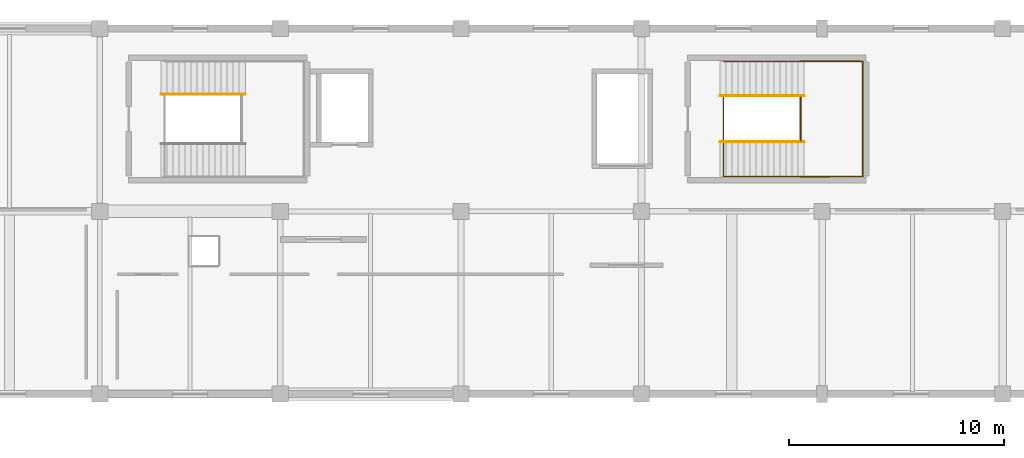
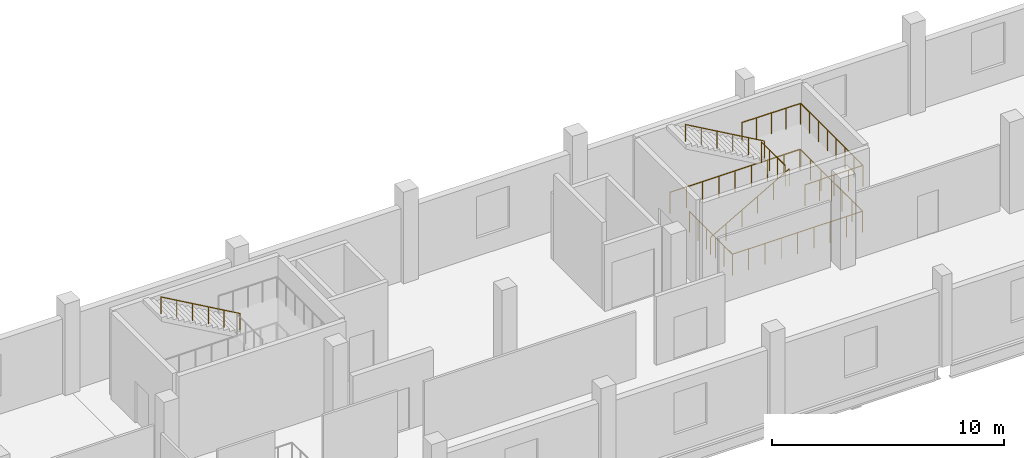
# One storey, part 77 of 77: 6 railings.
"""IFC4 building model written with IfcOpenShell, lengths in metres."""

from ifc_helpers import new_model, si_unit, direction, frame, origin, origin_2d, place, context, subcontext, project, spatial, circle, extrude, material, type_object, element, save


model = new_model("IFC4")

# Units and contexts
model_context = context("Model", 3, precision=1e-05, world=origin(), true_north=direction((0.0, 1.0)))
body_context = subcontext(model_context, "Body", "Model", "MODEL_VIEW")
ifc_project = project(units=[si_unit("LENGTHUNIT", "METRE"), si_unit("AREAUNIT", "SQUARE_METRE"), si_unit("VOLUMEUNIT", "CUBIC_METRE"), si_unit("PLANEANGLEUNIT", "RADIAN"), si_unit("MASSUNIT", "GRAM", prefix="KILO")], contexts=[model_context])

# Site, building, storey
site_placement = place(None, origin())
site = spatial("IfcSite", under=ifc_project, at=site_placement, CompositionType="ELEMENT")
building_placement = place(site_placement, origin())
building = spatial("IfcBuilding", under=site, at=building_placement, Name="Solvento Point Concert Hall", CompositionType="ELEMENT")
storey_placement = place(building_placement, frame((0.0, 0.0, 10.199951171875)))
storey = spatial("IfcBuildingStorey", under=building, at=storey_placement, Name="L02", CompositionType="ELEMENT", Elevation=10.199951171875)

# Railings
ifc_material_1 = material(Name="Brushed Stainless Steel Balustrade", Category="steel")
railing_type_1 = type_object("IfcRailingType", Name="StairHandrail_915", PredefinedType="HANDRAIL", material=ifc_material_1)
railing_1_placement = place(storey_placement, frame((173.570068359375, 132.949951171875, 2.56005859375)))
element("IfcRailing", 1, at=railing_1_placement, inside=storey, type_object=railing_type_1, Name="Stair handrail HR-01 ST-01 L02 F2", PredefinedType="HANDRAIL", context=body_context, shape_type="SweptSolid", body=[
    extrude(circle(Radius=0.0224609375, at=origin_2d()), frame((0.0, 0.0, 0.892578125), z_axis=(-0.86825312469, 0.0, 0.496121468458), x_axis=(0.0, -1.0, 0.0)), (0.0, 0.0, 1.0), 4.514892578125),
    extrude(circle(Radius=0.01904296875, at=origin_2d()), origin(), (0.0, 0.0, 1.0), 0.8701171875),
    extrude(circle(Radius=0.01904296875, at=origin_2d()), frame((-0.783935546875, 0.0, 0.447998046875)), (0.0, 0.0, 1.0), 0.8701171875),
    extrude(circle(Radius=0.01904296875, at=origin_2d()), frame((-1.568115234375, 0.0, 0.89599609375)), (0.0, 0.0, 1.0), 0.8701171875),
    extrude(circle(Radius=0.01904296875, at=origin_2d()), frame((-2.35205078125, 0.0, 1.343994140625)), (0.0, 0.0, 1.0), 0.8701171875),
    extrude(circle(Radius=0.01904296875, at=origin_2d()), frame((-3.13623046875, 0.0, 1.7919921875)), (0.0, 0.0, 1.0), 0.8701171875),
    extrude(circle(Radius=0.01904296875, at=origin_2d()), frame((-3.920166015625, 0.0, 2.239990234375)), (0.0, 0.0, 1.0), 0.8701171875),
])
railing_2_placement = place(storey_placement, frame((195.64990234375, 130.72998046875, 0.16015625)))
element("IfcRailing", 2, at=railing_2_placement, inside=storey, type_object=railing_type_1, Name="Stair handrail HR-01 ST-02 L02 F1", PredefinedType="HANDRAIL", context=body_context, shape_type="SweptSolid", body=[
    extrude(circle(Radius=0.0224609375, at=origin_2d()), frame((0.0, 0.0, 0.892578125), z_axis=(0.86825312469, 0.0, 0.496121468458), x_axis=(0.0, 1.0, 0.0)), (0.0, 0.0, 1.0), 4.514892578125),
    extrude(circle(Radius=0.01904296875, at=origin_2d()), origin(), (0.0, 0.0, 1.0), 0.8701171875),
    extrude(circle(Radius=0.01904296875, at=origin_2d()), frame((0.783935546875, 0.0, 0.447998046875)), (0.0, 0.0, 1.0), 0.8701171875),
    extrude(circle(Radius=0.01904296875, at=origin_2d()), frame((1.568115234375, 0.0, 0.89599609375)), (0.0, 0.0, 1.0), 0.8701171875),
    extrude(circle(Radius=0.01904296875, at=origin_2d()), frame((2.35205078125, 0.0, 1.343994140625)), (0.0, 0.0, 1.0), 0.8701171875),
    extrude(circle(Radius=0.01904296875, at=origin_2d()), frame((3.13623046875, 0.0, 1.7919921875)), (0.0, 0.0, 1.0), 0.8701171875),
    extrude(circle(Radius=0.01904296875, at=origin_2d()), frame((3.920166015625, 0.0, 2.239990234375)), (0.0, 0.0, 1.0), 0.8701171875),
])
railing_3_placement = place(storey_placement, frame((199.570068359375, 132.8701171875, 2.56005859375)))
element("IfcRailing", 3, at=railing_3_placement, inside=storey, type_object=railing_type_1, Name="Stair handrail HR-01 ST-02 L02 F2", PredefinedType="HANDRAIL", context=body_context, shape_type="SweptSolid", body=[
    extrude(circle(Radius=0.0224609375, at=origin_2d()), frame((0.0, 0.0, 0.892578125), z_axis=(-0.86825312469, 0.0, 0.496121468458), x_axis=(0.0, -1.0, 0.0)), (0.0, 0.0, 1.0), 4.514892578125),
    extrude(circle(Radius=0.01904296875, at=origin_2d()), origin(), (0.0, 0.0, 1.0), 0.8701171875),
    extrude(circle(Radius=0.01904296875, at=origin_2d()), frame((-0.783935546875, 0.0, 0.447998046875)), (0.0, 0.0, 1.0), 0.8701171875),
    extrude(circle(Radius=0.01904296875, at=origin_2d()), frame((-1.568115234375, 0.0, 0.89599609375)), (0.0, 0.0, 1.0), 0.8701171875),
    extrude(circle(Radius=0.01904296875, at=origin_2d()), frame((-2.35205078125, 0.0, 1.343994140625)), (0.0, 0.0, 1.0), 0.8701171875),
    extrude(circle(Radius=0.01904296875, at=origin_2d()), frame((-3.13623046875, 0.0, 1.7919921875)), (0.0, 0.0, 1.0), 0.8701171875),
    extrude(circle(Radius=0.01904296875, at=origin_2d()), frame((-3.920166015625, 0.0, 2.239990234375)), (0.0, 0.0, 1.0), 0.8701171875),
])
ifc_material_2 = material(Name="Brushed Stainless Steel Balustrade", Category="steel")
railing_type_2 = type_object("IfcRailingType", Name="StairWellGuard_1100", PredefinedType="BALUSTRADE", material=ifc_material_2)
railing_4_placement = place(storey_placement, frame((195.820068359375, 132.820068359375, 0.0)))
element("IfcRailing", 4, at=railing_4_placement, inside=storey, type_object=railing_type_2, Name="Stairwell guard GR-02 ST-02 L02", PredefinedType="BALUSTRADE", context=body_context, shape_type="SweptSolid", body=[
    extrude(circle(Radius=0.02392578125, at=origin_2d()), frame((0.0, 0.0, 1.09619140625), z_axis=(0.0, -1.0, 0.0), x_axis=(1.0, 0.0, 0.0)), (0.0, 0.0, 1.0), 3.699951171875),
    extrude(circle(Radius=0.02392578125, at=origin_2d()), frame((0.0, -3.699951171875, 1.09619140625), z_axis=(1.0, 0.0, 0.0), x_axis=(0.0, 1.0, 0.0)), (0.0, 0.0, 1.0), 6.4599609375),
    extrude(circle(Radius=0.02392578125, at=origin_2d()), frame((6.4599609375, -3.699951171875, 1.09619140625), z_axis=(0.0, 1.0, 0.0), x_axis=(-1.0, 0.0, 0.0)), (0.0, 0.0, 1.0), 5.35986328125),
    extrude(circle(Radius=0.02392578125, at=origin_2d()), frame((6.4599609375, 1.659912109375, 1.09619140625), z_axis=(-1.0, 0.0, 0.0), x_axis=(0.0, -1.0, 0.0)), (0.0, 0.0, 1.0), 6.4599609375),
    extrude(circle(Radius=0.02392578125, at=origin_2d()), frame((0.0, 1.659912109375, 1.09619140625), z_axis=(0.0, 1.0, 0.0), x_axis=(-1.0, 0.0, 0.0)), (0.0, 0.0, 1.0), 0.02001953125),
    extrude(circle(Radius=0.02099609375, at=origin_2d()), origin(), (0.0, 0.0, 1.0), 1.072021484375),
    extrude(circle(Radius=0.02099609375, at=origin_2d()), frame((0.0, -0.739990234375, 0.0)), (0.0, 0.0, 1.0), 1.072021484375),
    extrude(circle(Radius=0.02099609375, at=origin_2d()), frame((0.0, -1.47998046875, 0.0)), (0.0, 0.0, 1.0), 1.072021484375),
    extrude(circle(Radius=0.02099609375, at=origin_2d()), frame((0.0, -2.219970703125, 0.0)), (0.0, 0.0, 1.0), 1.072021484375),
    extrude(circle(Radius=0.02099609375, at=origin_2d()), frame((0.0, -2.9599609375, 0.0)), (0.0, 0.0, 1.0), 1.072021484375),
    extrude(circle(Radius=0.02099609375, at=origin_2d()), frame((0.0, -3.699951171875, 0.0)), (0.0, 0.0, 1.0), 1.072021484375),
    extrude(circle(Radius=0.02099609375, at=origin_2d()), frame((0.8076171875, -3.699951171875, 0.0)), (0.0, 0.0, 1.0), 1.072021484375),
    extrude(circle(Radius=0.02099609375, at=origin_2d()), frame((1.614990234375, -3.699951171875, 0.0)), (0.0, 0.0, 1.0), 1.072021484375),
    extrude(circle(Radius=0.02099609375, at=origin_2d()), frame((2.42236328125, -3.699951171875, 0.0)), (0.0, 0.0, 1.0), 1.072021484375),
    extrude(circle(Radius=0.02099609375, at=origin_2d()), frame((3.22998046875, -3.699951171875, 0.0)), (0.0, 0.0, 1.0), 1.072021484375),
    extrude(circle(Radius=0.02099609375, at=origin_2d()), frame((4.03759765625, -3.699951171875, 0.0)), (0.0, 0.0, 1.0), 1.072021484375),
    extrude(circle(Radius=0.02099609375, at=origin_2d()), frame((4.844970703125, -3.699951171875, 0.0)), (0.0, 0.0, 1.0), 1.072021484375),
    extrude(circle(Radius=0.02099609375, at=origin_2d()), frame((5.65234375, -3.699951171875, 0.0)), (0.0, 0.0, 1.0), 1.072021484375),
    extrude(circle(Radius=0.02099609375, at=origin_2d()), frame((6.4599609375, -3.699951171875, 0.0)), (0.0, 0.0, 1.0), 1.072021484375),
    extrude(circle(Radius=0.02099609375, at=origin_2d()), frame((6.4599609375, -2.806640625, 0.0)), (0.0, 0.0, 1.0), 1.072021484375),
    extrude(circle(Radius=0.02099609375, at=origin_2d()), frame((6.4599609375, -1.913330078125, 0.0)), (0.0, 0.0, 1.0), 1.072021484375),
    extrude(circle(Radius=0.02099609375, at=origin_2d()), frame((6.4599609375, -1.02001953125, 0.0)), (0.0, 0.0, 1.0), 1.072021484375),
    extrude(circle(Radius=0.02099609375, at=origin_2d()), frame((6.4599609375, -0.126708984375, 0.0)), (0.0, 0.0, 1.0), 1.072021484375),
    extrude(circle(Radius=0.02099609375, at=origin_2d()), frame((6.4599609375, 0.7666015625, 0.0)), (0.0, 0.0, 1.0), 1.072021484375),
    extrude(circle(Radius=0.02099609375, at=origin_2d()), frame((6.4599609375, 1.659912109375, 0.0)), (0.0, 0.0, 1.0), 1.072021484375),
    extrude(circle(Radius=0.02099609375, at=origin_2d()), frame((5.65234375, 1.659912109375, 0.0)), (0.0, 0.0, 1.0), 1.072021484375),
    extrude(circle(Radius=0.02099609375, at=origin_2d()), frame((4.844970703125, 1.659912109375, 0.0)), (0.0, 0.0, 1.0), 1.072021484375),
    extrude(circle(Radius=0.02099609375, at=origin_2d()), frame((4.03759765625, 1.659912109375, 0.0)), (0.0, 0.0, 1.0), 1.072021484375),
    extrude(circle(Radius=0.02099609375, at=origin_2d()), frame((3.22998046875, 1.659912109375, 0.0)), (0.0, 0.0, 1.0), 1.072021484375),
    extrude(circle(Radius=0.02099609375, at=origin_2d()), frame((2.42236328125, 1.659912109375, 0.0)), (0.0, 0.0, 1.0), 1.072021484375),
    extrude(circle(Radius=0.02099609375, at=origin_2d()), frame((1.614990234375, 1.659912109375, 0.0)), (0.0, 0.0, 1.0), 1.072021484375),
    extrude(circle(Radius=0.02099609375, at=origin_2d()), frame((0.8076171875, 1.659912109375, 0.0)), (0.0, 0.0, 1.0), 1.072021484375),
    extrude(circle(Radius=0.02099609375, at=origin_2d()), frame((0.0, 1.659912109375, 0.0)), (0.0, 0.0, 1.0), 1.072021484375),
    extrude(circle(Radius=0.02099609375, at=origin_2d()), frame((0.0, 1.679931640625, 0.0)), (0.0, 0.0, 1.0), 1.072021484375),
])
railing_5_placement = place(storey_placement, frame((199.39990234375, 129.10009765625, 2.400146484375)))
element("IfcRailing", 5, at=railing_5_placement, inside=storey, type_object=railing_type_2, Name="Half-landing perimeter guard GR-02 ST-02 L02", PredefinedType="BALUSTRADE", context=body_context, shape_type="SweptSolid", body=[
    extrude(circle(Radius=0.02392578125, at=origin_2d()), frame((0.0, 0.0, 1.09619140625), z_axis=(0.999976175575, 0.006902773499, 0.0), x_axis=(-0.006902773499, 0.999976175575, 0.0)), (0.0, 0.0, 1.0), 2.900146484375),
    extrude(circle(Radius=0.02392578125, at=origin_2d()), frame((2.900146484375, 0.02001953125, 1.09619140625), z_axis=(0.0, 1.0, 0.0), x_axis=(-1.0, 0.0, 0.0)), (0.0, 0.0, 1.0), 5.35986328125),
    extrude(circle(Radius=0.02392578125, at=origin_2d()), frame((2.900146484375, 5.3798828125, 1.09619140625), z_axis=(-0.999976175575, 0.006902773499, 0.0), x_axis=(-0.006902773499, -0.999976175575, 0.0)), (0.0, 0.0, 1.0), 2.900146484375),
    extrude(circle(Radius=0.02099609375, at=origin_2d()), origin(), (0.0, 0.0, 1.0), 1.072021484375),
    extrude(circle(Radius=0.02099609375, at=origin_2d()), frame((0.72509765625, 0.0048828125, 0.0)), (0.0, 0.0, 1.0), 1.072021484375),
    extrude(circle(Radius=0.02099609375, at=origin_2d()), frame((1.4501953125, 0.010009765625, 0.0)), (0.0, 0.0, 1.0), 1.072021484375),
    extrude(circle(Radius=0.02099609375, at=origin_2d()), frame((2.175048828125, 0.01513671875, 0.0)), (0.0, 0.0, 1.0), 1.072021484375),
    extrude(circle(Radius=0.02099609375, at=origin_2d()), frame((2.900146484375, 0.02001953125, 0.0)), (0.0, 0.0, 1.0), 1.072021484375),
    extrude(circle(Radius=0.02099609375, at=origin_2d()), frame((2.900146484375, 0.78564453125, 0.0)), (0.0, 0.0, 1.0), 1.072021484375),
    extrude(circle(Radius=0.02099609375, at=origin_2d()), frame((2.900146484375, 1.551513671875, 0.0)), (0.0, 0.0, 1.0), 1.072021484375),
    extrude(circle(Radius=0.02099609375, at=origin_2d()), frame((2.900146484375, 2.317138671875, 0.0)), (0.0, 0.0, 1.0), 1.072021484375),
    extrude(circle(Radius=0.02099609375, at=origin_2d()), frame((2.900146484375, 3.082763671875, 0.0)), (0.0, 0.0, 1.0), 1.072021484375),
    extrude(circle(Radius=0.02099609375, at=origin_2d()), frame((2.900146484375, 3.848388671875, 0.0)), (0.0, 0.0, 1.0), 1.072021484375),
    extrude(circle(Radius=0.02099609375, at=origin_2d()), frame((2.900146484375, 4.6142578125, 0.0)), (0.0, 0.0, 1.0), 1.072021484375),
    extrude(circle(Radius=0.02099609375, at=origin_2d()), frame((2.900146484375, 5.3798828125, 0.0)), (0.0, 0.0, 1.0), 1.072021484375),
    extrude(circle(Radius=0.02099609375, at=origin_2d()), frame((2.175048828125, 5.384765625, 0.0)), (0.0, 0.0, 1.0), 1.072021484375),
    extrude(circle(Radius=0.02099609375, at=origin_2d()), frame((1.4501953125, 5.389892578125, 0.0)), (0.0, 0.0, 1.0), 1.072021484375),
    extrude(circle(Radius=0.02099609375, at=origin_2d()), frame((0.72509765625, 5.39501953125, 0.0)), (0.0, 0.0, 1.0), 1.072021484375),
    extrude(circle(Radius=0.02099609375, at=origin_2d()), frame((0.0, 5.39990234375, 0.0)), (0.0, 0.0, 1.0), 1.072021484375),
])
railing_6_placement = place(storey_placement, frame((199.39990234375, 130.780029296875, 2.400146484375)))
element("IfcRailing", 6, at=railing_6_placement, inside=storey, type_object=railing_type_2, Name="Half-landing slot guard GR-02 ST-02 L02", PredefinedType="BALUSTRADE", context=body_context, shape_type="SweptSolid", body=[
    extrude(circle(Radius=0.02392578125, at=origin_2d()), frame((0.0, 0.0, 1.09619140625), z_axis=(0.0, 1.0, 0.0), x_axis=(-1.0, 0.0, 0.0)), (0.0, 0.0, 1.0), 2.0400390625),
    extrude(circle(Radius=0.02099609375, at=origin_2d()), origin(), (0.0, 0.0, 1.0), 1.072021484375),
    extrude(circle(Radius=0.02099609375, at=origin_2d()), frame((0.0, 0.679931640625, 0.0)), (0.0, 0.0, 1.0), 1.072021484375),
    extrude(circle(Radius=0.02099609375, at=origin_2d()), frame((0.0, 1.360107421875, 0.0)), (0.0, 0.0, 1.0), 1.072021484375),
    extrude(circle(Radius=0.02099609375, at=origin_2d()), frame((0.0, 2.0400390625, 0.0)), (0.0, 0.0, 1.0), 1.072021484375),
])

save(model, "model.ifc")
